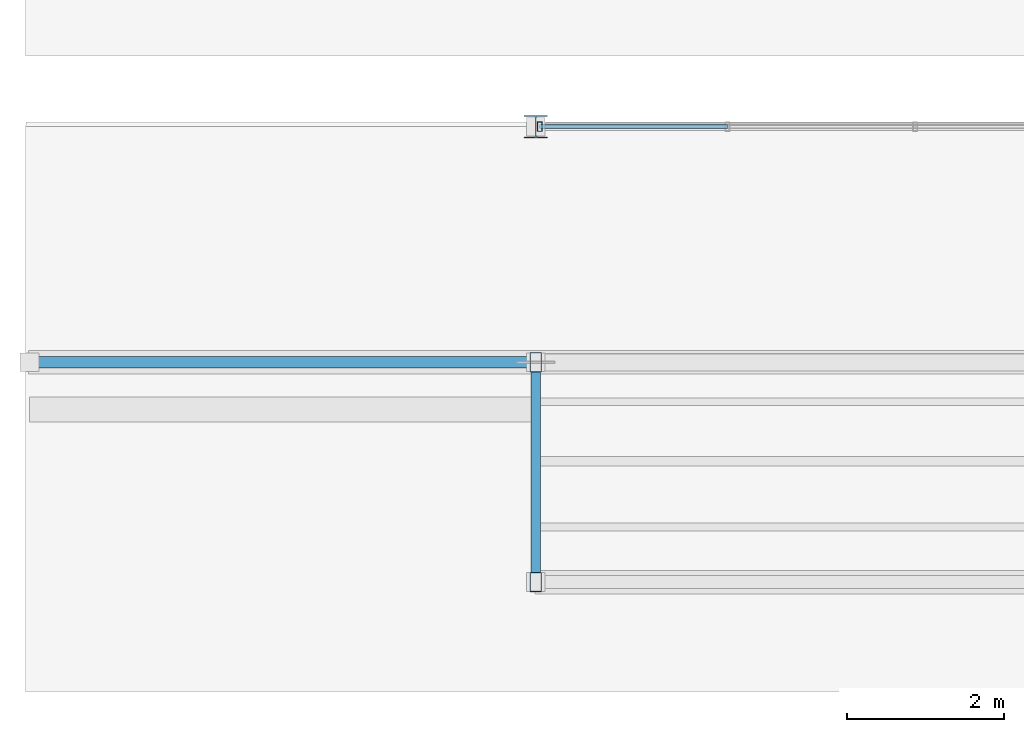
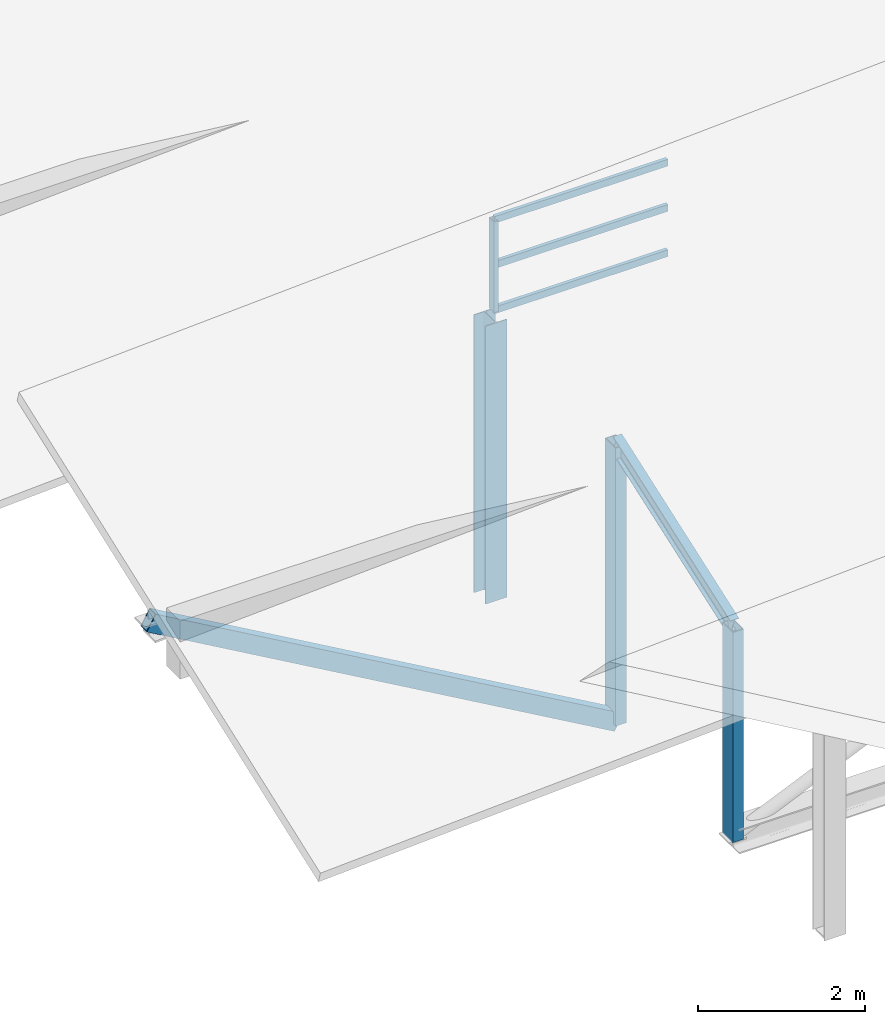
# One storey, part 71 of 141: 9 members, 1 element without a shape of its own.
"""IFC4 building model written with IfcOpenShell, lengths in metres."""

import ifcopenshell
import ifcopenshell.guid

model = None  # the IFC model being written
_history = None  # IfcOwnerHistory: only IFC2X3 demands one
_inside = {}  # id of a spatial element -> (the spatial element, [elements in it])
_under = {}  # id of a project, library or spatial element -> (it, [spatial elements below it])
_declared = {}  # id of a project -> (the project, [libraries it declares])
_typed = {}  # id of a type object -> (the type object, [elements of that type])
_made_of = {}  # id of a material, layer set ... -> (it, [elements and type objects made of it])


def new_model(schema):
    """Start an empty IFC model of exactly this schema.

    Asked for "IFC4X3", IfcOpenShell would pick the latest addendum, in which some entities
    have other attributes; the version numbers below select the first issue.
    IFC2X3 requires an IfcOwnerHistory on every rooted entity: one is made here for all.
    """
    global model, _history
    if schema == "IFC4X3":
        model = ifcopenshell.file(schema_version=(4, 3, 0, 0))
    else:
        model = ifcopenshell.file(schema=schema)
    _inside.clear()
    _under.clear()
    _declared.clear()
    _typed.clear()
    _made_of.clear()
    _history = None
    if model.schema == "IFC2X3":
        org = make("IfcOrganization", Name="unknown")
        user = make(
            "IfcPersonAndOrganization",
            ThePerson=make("IfcPerson", FamilyName="unknown"),
            TheOrganization=org,
        )
        app = make(
            "IfcApplication",
            ApplicationDeveloper=org,
            Version="unknown",
            ApplicationFullName="unknown",
            ApplicationIdentifier="unknown",
        )
        _history = make(
            "IfcOwnerHistory",
            OwningUser=user,
            OwningApplication=app,
            ChangeAction="ADDED",
            CreationDate=0,
        )
    return model


def make(cls, **values):
    """One entity of the class cls with the attributes given. An attribute that is None is left unset."""
    return model.create_entity(
        cls, **{name: value for name, value in values.items() if value is not None}
    )


def rooted(cls, **values):
    """An entity with a GlobalId (a new one), such as an element, a storey or a relation."""
    return make(cls, GlobalId=ifcopenshell.guid.new(), OwnerHistory=_history, **values)


def si_unit(unit_type, name, prefix=None):
    """IfcSIUnit, for example si_unit("LENGTHUNIT", "METRE", prefix="MILLI")."""
    return make("IfcSIUnit", UnitType=unit_type, Prefix=prefix, Name=name)


def assignment(units):
    """IfcUnitAssignment: the units of a project."""
    return None if units is None else make("IfcUnitAssignment", Units=units)


def point(xyz):
    """IfcCartesianPoint."""
    return None if xyz is None else make("IfcCartesianPoint", Coordinates=xyz)


def direction(xyz):
    """IfcDirection."""
    return None if xyz is None else make("IfcDirection", DirectionRatios=xyz)


def frame(location, z_axis=None, x_axis=None):
    """IfcAxis2Placement3D, a coordinate frame: its origin and axes. An axis left out is left unset."""
    return make(
        "IfcAxis2Placement3D",
        Location=point(location),
        Axis=direction(z_axis),
        RefDirection=direction(x_axis),
    )


def frame_2d(location, x_axis=None):
    """IfcAxis2Placement2D, a coordinate frame in the plane: its origin and x axis."""
    return make(
        "IfcAxis2Placement2D", Location=point(location), RefDirection=direction(x_axis)
    )


def origin():
    """The frame at (0, 0, 0) with its axes left unset."""
    return frame((0.0, 0.0, 0.0))


def origin_2d():
    """The frame at (0, 0) in the plane with its x axis left unset."""
    return frame_2d((0.0, 0.0))


def place(relative_to, where):
    """IfcLocalPlacement: puts the frame where relative to a parent placement (None: the world)."""
    return make(
        "IfcLocalPlacement", PlacementRelTo=relative_to, RelativePlacement=where
    )


def context(
    kind, dimensions, precision=None, world=None, true_north=None, identifier=None
):
    """IfcGeometricRepresentationContext, for example the 3D "Model" context."""
    return make(
        "IfcGeometricRepresentationContext",
        ContextIdentifier=identifier,
        ContextType=kind,
        CoordinateSpaceDimension=dimensions,
        Precision=precision,
        WorldCoordinateSystem=world,
        TrueNorth=true_north,
    )


def subcontext(parent, identifier, kind, view, scale=None):
    """IfcGeometricRepresentationSubContext, for example "Body" below "Model"."""
    return make(
        "IfcGeometricRepresentationSubContext",
        ContextIdentifier=identifier,
        ContextType=kind,
        ParentContext=parent,
        TargetScale=scale,
        TargetView=view,
    )


def project(units=None, contexts=None):
    """IfcProject with its units and contexts."""
    return rooted(
        "IfcProject",
        Name="project",
        RepresentationContexts=contexts,
        UnitsInContext=assignment(units),
    )


def spatial(cls, under=None, at=None, **own):
    """A site, building, storey or space (cls), placed at a placement, below another one or the project."""
    s = rooted(cls, ObjectPlacement=at, **own)
    if under is not None:
        _under.setdefault(under.id(), (under, []))[1].append(s)
    return s


def profile(cls, at=None, kind="AREA", **sizes):
    """A parametric profile (cls). Its sizes go by their IFC names, for example OverallWidth=200.0."""
    return make(cls, ProfileType=kind, Position=at, **sizes)


def hollow_rectangle(**sizes):
    """IfcRectangleHollowProfileDef."""
    return profile("IfcRectangleHollowProfileDef", **sizes)


def i_section(**sizes):
    """IfcIShapeProfileDef."""
    return profile("IfcIShapeProfileDef", **sizes)


def extrude(swept, where, along, depth):
    """IfcExtrudedAreaSolid: the profile swept, set in the frame where, extruded along a direction by depth."""
    return make(
        "IfcExtrudedAreaSolid",
        SweptArea=swept,
        Position=where,
        ExtrudedDirection=direction(along),
        Depth=depth,
    )


def shape(context_of_items, identifier, shape_type, items):
    """IfcShapeRepresentation: the items that make up one representation, for example the "Body"."""
    return make(
        "IfcShapeRepresentation",
        ContextOfItems=context_of_items,
        RepresentationIdentifier=identifier,
        RepresentationType=shape_type,
        Items=items,
    )


def material(Name=None, Category=None):
    """IfcMaterial."""
    return make("IfcMaterial", Name=Name, Category=Category)


def material_profile(
    of_material, cross_section, Name=None, Category=None, Priority=None
):
    """IfcMaterialProfile: a cross section and its material."""
    return make(
        "IfcMaterialProfile",
        Name=Name,
        Material=of_material,
        Profile=cross_section,
        Priority=Priority,
        Category=Category,
    )


def profile_set(profiles, Name=None, composite=None):
    """IfcMaterialProfileSet."""
    return make(
        "IfcMaterialProfileSet",
        Name=Name,
        MaterialProfiles=profiles,
        CompositeProfile=composite,
    )


def made_of(thing, what):
    """Note that an element or type object is made of a material, layer set ...; save() writes the relation."""
    if what is not None:
        _made_of.setdefault(what.id(), (what, []))[1].append(thing)
    return thing


def type_object(cls, material=None, **own):
    """A type object (cls), such as IfcWallType, which elements share."""
    return made_of(rooted(cls, **own), material)


def element(
    cls,
    number,
    at=None,
    inside=None,
    cuts=None,
    type_object=None,
    material=None,
    context=None,
    identifier="Body",
    shape_type=None,
    held_by="IfcProductDefinitionShape",
    body=None,
    shapes=None,
    **own,
):
    """One element of the class cls, such as IfcWall. Its Tag is "e" and its number.

    at: its placement. inside: the storey or other place that contains it. cuts: it is an
    opening in that element (IfcRelVoidsElement). A single representation is given by context,
    identifier, shape_type and body (its items); several are given by shapes. held_by: the class
    of the entity that holds the representations. save() writes the other relations.
    """
    e = rooted(cls, Tag="e%d" % number, ObjectPlacement=at, **own)
    if body is not None:
        shapes = [shape(context, identifier, shape_type, body)]
    if shapes is not None:
        e.Representation = make(held_by, Representations=shapes)
    if inside is not None:
        _inside.setdefault(inside.id(), (inside, []))[1].append(e)
    if cuts is not None:
        rooted(
            "IfcRelVoidsElement", RelatingBuildingElement=cuts, RelatedOpeningElement=e
        )
    if type_object is not None:
        _typed.setdefault(type_object.id(), (type_object, []))[1].append(e)
    return made_of(e, material)


def aggregate(whole, parts):
    """IfcRelAggregates: a whole, such as a stair, and the parts it consists of."""
    return rooted("IfcRelAggregates", RelatingObject=whole, RelatedObjects=parts)


def save(model, path):
    """Write the relations noted so far, then the file.

    IfcRelAggregates (storeys below a building ...), IfcRelContainedInSpatialStructure (elements
    in a storey), IfcRelDefinesByType, IfcRelAssociatesMaterial and IfcRelDeclares: one each for
    every whole, place, type object, material and project.
    """
    for whole, parts in _under.values():
        aggregate(whole, parts)
    for where, things in _inside.values():
        rooted(
            "IfcRelContainedInSpatialStructure",
            RelatedElements=things,
            RelatingStructure=where,
        )
    for kind, things in _typed.values():
        rooted("IfcRelDefinesByType", RelatedObjects=things, RelatingType=kind)
    for what, things in _made_of.values():
        rooted("IfcRelAssociatesMaterial", RelatedObjects=things, RelatingMaterial=what)
    for by, libraries in _declared.values():
        rooted("IfcRelDeclares", RelatingContext=by, RelatedDefinitions=libraries)
    model.write(path)


model = new_model("IFC4")

# Units and contexts
model_context = context("Model", 3, precision=1e-05, world=origin(), true_north=direction((0.0, 1.0)))
body_context = subcontext(model_context, "Body", "Model", "MODEL_VIEW")
ifc_project = project(units=[si_unit("LENGTHUNIT", "METRE"), si_unit("AREAUNIT", "SQUARE_METRE"), si_unit("VOLUMEUNIT", "CUBIC_METRE"), si_unit("PLANEANGLEUNIT", "RADIAN"), si_unit("MASSUNIT", "GRAM", prefix="KILO")], contexts=[model_context])

# Site, building, storey
site_placement = place(None, origin())
site = spatial("IfcSite", under=ifc_project, at=site_placement, CompositionType="ELEMENT")
building_placement = place(site_placement, origin())
building = spatial("IfcBuilding", under=site, at=building_placement, Name="Sundkrona Museum", CompositionType="ELEMENT")
storey_placement = place(building_placement, frame((0.0, 0.0, 34.0)))
storey = spatial("IfcBuildingStorey", under=building, at=storey_placement, Name="RF", CompositionType="ELEMENT", Elevation=34.0)

# Member
ifc_material_1 = material(Name="Steel S355J2", Category="steel")
ifc_material_profile_1 = material_profile(ifc_material_1, i_section(OverallWidth=0.300048828125, OverallDepth=0.2900390625, WebThickness=0.008544921875, FlangeThickness=0.013916015625, FilletRadius=0.027099609375, at=origin_2d()), Name="HEA 300")
ifc_profile_set_1 = profile_set([ifc_material_profile_1], Name="Steel S355J2")
member_type_1 = type_object("IfcMemberType", Name="BR-HEA300", PredefinedType="BRACE", material=ifc_profile_set_1)
member_1_placement = place(storey_placement, frame((120.0, 34.60009765625, -0.25), z_axis=(0.0, 0.0, 1.0), x_axis=(1.0, 0.0, 0.0)))
element("IfcMember", 1, at=member_1_placement, inside=storey, type_object=member_type_1, Name="RFS-1 Sawtooth Bay 5 Clerestory Corner Post W", PredefinedType="BRACE", context=body_context, shape_type="SweptSolid", body=[
    extrude(i_section(OverallWidth=0.300048828125, OverallDepth=0.2900390625, WebThickness=0.008544921875, FlangeThickness=0.013916015625, FilletRadius=0.027099609375, at=origin_2d()), origin(), (0.0, 0.0, 1.0), 4.052978515625),
])

# Curtain wall, member
ifc_material_2 = material(Name="Unitised Aluminium-Steel and Ceramic-Clad Curtain Walling", Category="steel")
curtain_wall_type = type_object("IfcCurtainWallType", Name="CW-SW-240x13", PredefinedType="NOTDEFINED", material=ifc_material_2)
curtain_wall_placement = place(storey_placement, origin())
curtain_wall = element("IfcCurtainWall", 2, at=curtain_wall_placement, inside=storey, type_object=curtain_wall_type, Name="Sawtooth Bay 5 West North-Light Clerestory", PredefinedType="NOTDEFINED")
ifc_material_3 = material(Name="Aluminium EN AW-6060 T66", Category="aluminium")
ifc_material_profile_2 = material_profile(ifc_material_3, hollow_rectangle(XDim=0.06005859375, YDim=0.1201171875, WallThickness=0.0048828125, at=origin_2d()), Name="RHS 120x60x5.0")
ifc_profile_set_2 = profile_set([ifc_material_profile_2], Name="Aluminium EN AW-6060 T66")
member_type_2 = type_object("IfcMemberType", Name="ML-120", PredefinedType="MULLION", material=ifc_profile_set_2)
member_2_placement = place(storey_placement, frame((120.050048828125, 34.60009765625, 3.89306640625), z_axis=(0.0, 0.0, 1.0), x_axis=(1.0, 0.0, 0.0)))
member_2 = element("IfcMember", 3, at=member_2_placement, type_object=member_type_2, Name="CW-RF-SAW-05W Mullion 01", PredefinedType="MULLION", context=body_context, shape_type="SweptSolid", body=[
    extrude(hollow_rectangle(XDim=0.06005859375, YDim=0.1201171875, WallThickness=0.0048828125, at=origin_2d()), origin(), (0.0, 0.0, 1.0), 1.31982421875),
])

# Members
ifc_material_profile_3 = material_profile(ifc_material_1, i_section(OverallWidth=0.1201171875, OverallDepth=0.239990234375, WebThickness=0.006103515625, FlangeThickness=0.009765625, FilletRadius=0.014892578125, at=origin_2d()), Name="IPE 240")
ifc_profile_set_3 = profile_set([ifc_material_profile_3], Name="Steel S355J2")
member_type_3 = type_object("IfcMemberType", Name="PR-IPE240", PredefinedType="PURLIN", material=ifc_profile_set_3)
member_3_placement = place(storey_placement, frame((120.0, 28.800048828125, 2.81689453125), z_axis=(0.0, 0.942729033287, 0.333559544605), x_axis=(-1.0, 0.0, 0.0)))
element("IfcMember", 4, at=member_3_placement, inside=storey, type_object=member_type_3, Name="RFS-1 Sawtooth Bay 5 Transverse Rafter 1", PredefinedType="PURLIN", context=body_context, shape_type="SweptSolid", body=[
    extrude(i_section(OverallWidth=0.1201171875, OverallDepth=0.239990234375, WebThickness=0.006103515625, FlangeThickness=0.009765625, FilletRadius=0.014892578125, at=origin_2d()), origin(), (0.0, 0.0, 1.0), 2.97021484375),
])
ifc_material_profile_4 = material_profile(ifc_material_1, hollow_rectangle(XDim=0.14990234375, YDim=0.25, WallThickness=0.010009765625, at=origin_2d()), Name="RHS 250x150x10.0")
ifc_profile_set_4 = profile_set([ifc_material_profile_4], Name="Steel S355J2")
member_type_4 = type_object("IfcMemberType", Name="ST-RHS250", PredefinedType="STRUT", material=ifc_profile_set_4)
member_4_placement = place(storey_placement, frame((120.0, 31.60009765625, -0.25), z_axis=(-0.866919419206, 0.0, 0.498448312871), x_axis=(0.0, -1.0, 0.0)))
element("IfcMember", 5, at=member_4_placement, inside=storey, type_object=member_type_4, Name="RFS-1 Sawtooth Truss 5 West Knee Strut", PredefinedType="STRUT", context=body_context, shape_type="SweptSolid", body=[
    extrude(hollow_rectangle(XDim=0.14990234375, YDim=0.25, WallThickness=0.010009765625, at=origin_2d()), origin(), (0.0, 0.0, 1.0), 7.440185546875),
])
member_5_placement = place(storey_placement, frame((120.0, 31.60009765625, -0.25), z_axis=(0.0, 0.0, 1.0), x_axis=(1.0, 0.0, 0.0)))
element("IfcMember", 6, at=member_5_placement, inside=storey, type_object=member_type_4, Name="RFS-1 Sawtooth Truss 5 Vertical Post 1", PredefinedType="STRUT", context=body_context, shape_type="SweptSolid", body=[
    extrude(hollow_rectangle(XDim=0.14990234375, YDim=0.25, WallThickness=0.010009765625, at=origin_2d()), origin(), (0.0, 0.0, 1.0), 4.0576171875),
])
member_6_placement = place(storey_placement, frame((120.0, 28.800048828125, -0.25), z_axis=(0.0, 0.0, 1.0), x_axis=(1.0, 0.0, 0.0)))
element("IfcMember", 7, at=member_6_placement, inside=storey, type_object=member_type_4, Name="RFS-1 Sawtooth Bay 5 Valley Post 1", PredefinedType="STRUT", context=body_context, shape_type="SweptSolid", body=[
    extrude(hollow_rectangle(XDim=0.14990234375, YDim=0.25, WallThickness=0.010009765625, at=origin_2d()), origin(), (0.0, 0.0, 1.0), 3.06689453125),
])

# Member
ifc_material_profile_5 = material_profile(ifc_material_3, hollow_rectangle(XDim=0.050048828125, YDim=0.10009765625, WallThickness=0.0048828125, at=origin_2d()), Name="RHS 100x50x5.0")
ifc_profile_set_5 = profile_set([ifc_material_profile_5], Name="Aluminium EN AW-6060 T66")
member_type_5 = type_object("IfcMemberType", Name="TR-100", PredefinedType="USERDEFINED", material=ifc_profile_set_5)
member_7_placement = place(storey_placement, frame((120.050048828125, 34.60009765625, 3.89306640625), z_axis=(1.0, 0.0, 0.0), x_axis=(0.0, 1.0, 0.0)))
member_7 = element("IfcMember", 8, at=member_7_placement, type_object=member_type_5, Name="CW-RF-SAW-05W Transom 01", ObjectType="TRANSOM", PredefinedType="USERDEFINED", context=body_context, shape_type="SweptSolid", body=[
    extrude(hollow_rectangle(XDim=0.050048828125, YDim=0.10009765625, WallThickness=0.0048828125, at=origin_2d()), origin(), (0.0, 0.0, 1.0), 2.389892578125),
])

member_8_placement = place(storey_placement, frame((120.050048828125, 34.60009765625, 4.552978515625), z_axis=(1.0, 0.0, 0.0), x_axis=(0.0, 1.0, 0.0)))
member_8 = element("IfcMember", 9, at=member_8_placement, type_object=member_type_5, Name="CW-RF-SAW-05W Transom 02", ObjectType="TRANSOM", PredefinedType="USERDEFINED", context=body_context, shape_type="SweptSolid", body=[
    extrude(hollow_rectangle(XDim=0.050048828125, YDim=0.10009765625, WallThickness=0.0048828125, at=origin_2d()), origin(), (0.0, 0.0, 1.0), 2.389892578125),
])

member_9_placement = place(storey_placement, frame((120.050048828125, 34.60009765625, 5.212890625), z_axis=(1.0, 0.0, 0.0), x_axis=(0.0, 1.0, 0.0)))
member_9 = element("IfcMember", 10, at=member_9_placement, type_object=member_type_5, Name="CW-RF-SAW-05W Transom 03", ObjectType="TRANSOM", PredefinedType="USERDEFINED", context=body_context, shape_type="SweptSolid", body=[
    extrude(hollow_rectangle(XDim=0.050048828125, YDim=0.10009765625, WallThickness=0.0048828125, at=origin_2d()), origin(), (0.0, 0.0, 1.0), 2.389892578125),
])

aggregate(curtain_wall, [member_2, member_7, member_8, member_9])

save(model, "model.ifc")
